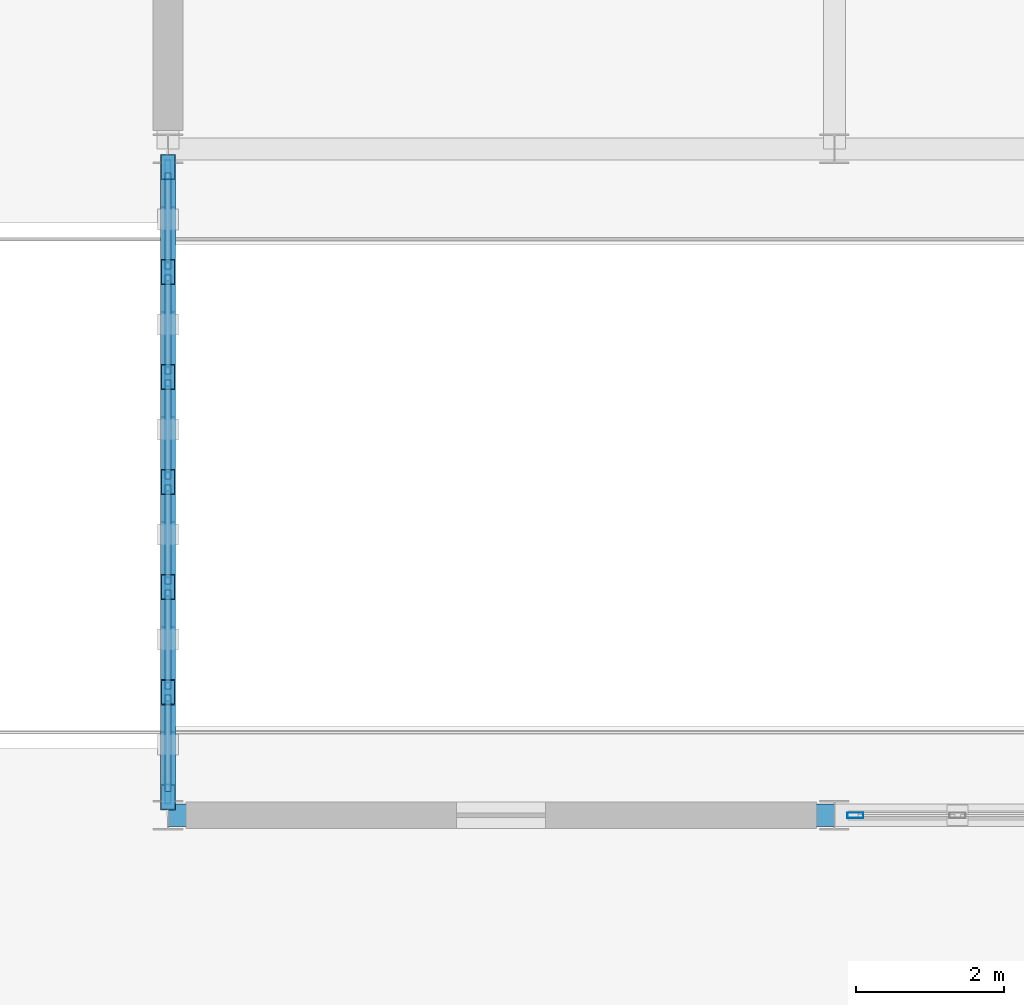
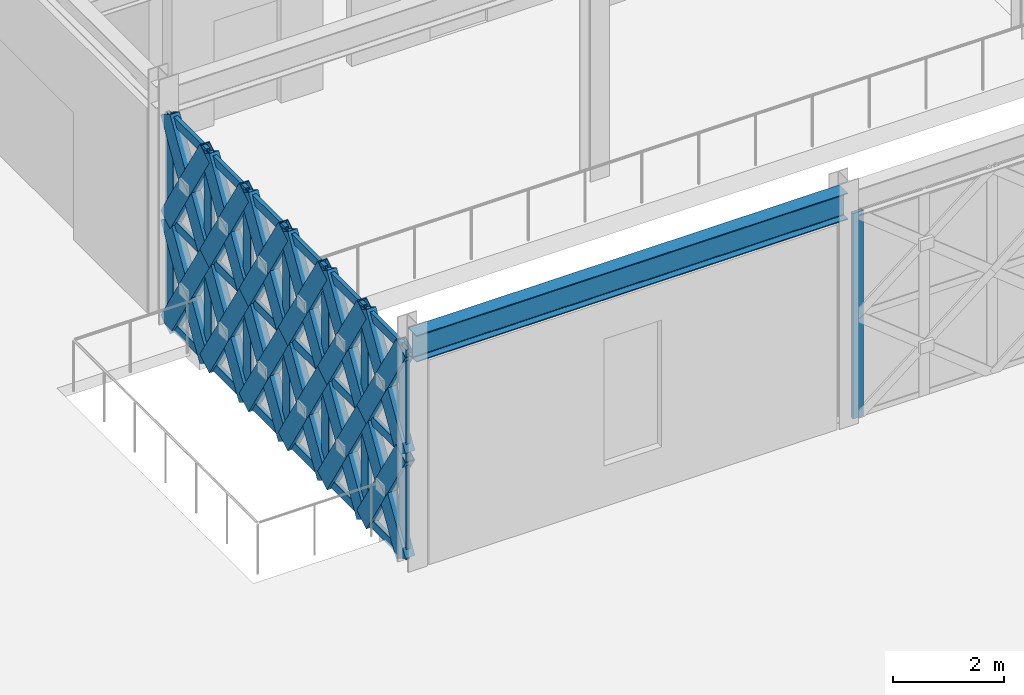
# One storey, part 61 of 140: 62 members, 1 beam, 2 elements without a shape of their own.
"""IFC4 building model written with IfcOpenShell, lengths in metres."""

from ifc_helpers import new_model, si_unit, direction, frame, origin, origin_2d, place, context, subcontext, project, spatial, hollow_rectangle, i_section, extrude, material, material_profile, profile_set, type_object, element, aggregate, save


model = new_model("IFC4")

# Units and contexts
model_context = context("Model", 3, precision=1e-05, world=origin(), true_north=direction((0.0, 1.0)))
body_context = subcontext(model_context, "Body", "Model", "MODEL_VIEW")
ifc_project = project(units=[si_unit("LENGTHUNIT", "METRE"), si_unit("AREAUNIT", "SQUARE_METRE"), si_unit("VOLUMEUNIT", "CUBIC_METRE"), si_unit("PLANEANGLEUNIT", "RADIAN"), si_unit("MASSUNIT", "GRAM", prefix="KILO")], contexts=[model_context])

# Site, building, storey
site_placement = place(None, origin())
site = spatial("IfcSite", under=ifc_project, at=site_placement, CompositionType="ELEMENT")
building_placement = place(site_placement, origin())
building = spatial("IfcBuilding", under=site, at=building_placement, Name="Haizhuo Lancet Aquarium", CompositionType="ELEMENT")
storey_placement = place(building_placement, origin())
storey = spatial("IfcBuildingStorey", under=building, at=storey_placement, Name="L00", CompositionType="ELEMENT", Elevation=0.0)

# Beam
ifc_material_1 = material(Name="Steel S355", Category="steel")
ifc_material_profile_1 = material_profile(ifc_material_1, i_section(OverallWidth=0.300048828125, OverallDepth=0.587890625, WebThickness=0.011962890625, FlangeThickness=0.02001953125, FilletRadius=0.02587890625, at=origin_2d()), Name="HM 588x300x12x20")
ifc_profile_set_1 = profile_set([ifc_material_profile_1], Name="Steel S355")
beam_type = type_object("IfcBeamType", Name="BM-ST-HM588", PredefinedType="BEAM", material=ifc_profile_set_1)
beam_placement = place(storey_placement, frame((36.0, 9.0, 4.825927734375), z_axis=(1.0, 0.0, 0.0), x_axis=(0.0, 1.0, 0.0)))
element("IfcBeam", 1, at=beam_placement, inside=storey, type_object=beam_type, Name="L00 V7 primary girder BM-L00-V7-001", PredefinedType="BEAM", context=body_context, shape_type="SweptSolid", body=[
    extrude(i_section(OverallWidth=0.300048828125, OverallDepth=0.587890625, WebThickness=0.011962890625, FlangeThickness=0.02001953125, FilletRadius=0.02587890625, at=origin_2d()), origin(), (0.0, 0.0, 1.0), 9.0),
])

# Curtain wall, member
ifc_material_2 = material(Name="Aluminium 6063-T6", Category="aluminium")
curtain_wall_type_1 = type_object("IfcCurtainWallType", Name="CWO-8510x4530", PredefinedType="NOTDEFINED", material=ifc_material_2)
curtain_wall_1_placement = place(storey_placement, origin())
curtain_wall_1 = element("IfcCurtainWall", 2, at=curtain_wall_1_placement, inside=storey, type_object=curtain_wall_type_1, Name="L00 curtain wall CW-V7-L00-281", PredefinedType="NOTDEFINED")
ifc_material_profile_2 = material_profile(ifc_material_2, hollow_rectangle(XDim=0.074951171875, YDim=0.219970703125, WallThickness=0.0048828125, at=origin_2d()), Name="ALU-M 75x220x5")
ifc_profile_set_2 = profile_set([ifc_material_profile_2], Name="Aluminium 6063-T6")
member_type_1 = type_object("IfcMemberType", Name="CW-MUL-2", PredefinedType="MULLION", material=ifc_profile_set_2)
member_1_placement = place(storey_placement, frame((45.281982421875, 9.0, 0.0), z_axis=(0.0, 0.0, 1.0), x_axis=(0.0, -1.0, 0.0)))
member_1 = element("IfcMember", 3, at=member_1_placement, type_object=member_type_1, Name="CWO-85x45 mullion 7", PredefinedType="MULLION", context=body_context, shape_type="SweptSolid", body=[
    extrude(hollow_rectangle(XDim=0.074951171875, YDim=0.219970703125, WallThickness=0.0048828125, at=origin_2d()), origin(), (0.0, 0.0, 1.0), 4.531982421875),
])
aggregate(curtain_wall_1, [member_1])

# Curtain wall, members
curtain_wall_type_2 = type_object("IfcCurtainWallType", Name="CWD-8510x4630", PredefinedType="NOTDEFINED", material=ifc_material_2)
curtain_wall_2_placement = place(storey_placement, origin())
curtain_wall_2 = element("IfcCurtainWall", 4, at=curtain_wall_2_placement, inside=storey, type_object=curtain_wall_type_2, Name="L00 curtain wall CW-V7-L00-282", PredefinedType="NOTDEFINED")
ifc_material_profile_3 = material_profile(ifc_material_2, hollow_rectangle(XDim=0.080078125, YDim=0.260009765625, WallThickness=0.0048828125, at=origin_2d()), Name="ALU-M 80x260x5")
ifc_profile_set_3 = profile_set([ifc_material_profile_3], Name="Aluminium 6063-T6")
member_type_2 = type_object("IfcMemberType", Name="CW-MUL-3", PredefinedType="MULLION", material=ifc_profile_set_3)
member_2_placement = place(storey_placement, frame((36.0, 9.284912109375, 0.0), z_axis=(0.0, 0.0, 1.0), x_axis=(-1.0, 0.0, 0.0)))
member_2 = element("IfcMember", 5, at=member_2_placement, type_object=member_type_2, Name="CWD-85x46 mullion 1", PredefinedType="MULLION", context=body_context, shape_type="SweptSolid", body=[
    extrude(hollow_rectangle(XDim=0.080078125, YDim=0.260009765625, WallThickness=0.0048828125, at=origin_2d()), origin(), (0.0, 0.0, 1.0), 4.632080078125),
])
member_3_placement = place(storey_placement, frame((36.0, 10.6630859375, 0.0), z_axis=(0.0, 0.0, 1.0), x_axis=(-1.0, 0.0, 0.0)))
member_3 = element("IfcMember", 6, at=member_3_placement, type_object=member_type_2, Name="CWD-85x46 mullion 2", PredefinedType="MULLION", context=body_context, shape_type="SweptSolid", body=[
    extrude(hollow_rectangle(XDim=0.080078125, YDim=0.260009765625, WallThickness=0.0048828125, at=origin_2d()), origin(), (0.0, 0.0, 1.0), 4.632080078125),
])
member_4_placement = place(storey_placement, frame((36.0, 12.08203125, 0.0), z_axis=(0.0, 0.0, 1.0), x_axis=(-1.0, 0.0, 0.0)))
member_4 = element("IfcMember", 7, at=member_4_placement, type_object=member_type_2, Name="CWD-85x46 mullion 3", PredefinedType="MULLION", context=body_context, shape_type="SweptSolid", body=[
    extrude(hollow_rectangle(XDim=0.080078125, YDim=0.260009765625, WallThickness=0.0048828125, at=origin_2d()), origin(), (0.0, 0.0, 1.0), 4.632080078125),
])
member_5_placement = place(storey_placement, frame((36.0, 13.5, 0.0), z_axis=(0.0, 0.0, 1.0), x_axis=(-1.0, 0.0, 0.0)))
member_5 = element("IfcMember", 8, at=member_5_placement, type_object=member_type_2, Name="CWD-85x46 mullion 4", PredefinedType="MULLION", context=body_context, shape_type="SweptSolid", body=[
    extrude(hollow_rectangle(XDim=0.080078125, YDim=0.260009765625, WallThickness=0.0048828125, at=origin_2d()), origin(), (0.0, 0.0, 1.0), 4.632080078125),
])
member_6_placement = place(storey_placement, frame((36.0, 14.91796875, 0.0), z_axis=(0.0, 0.0, 1.0), x_axis=(-1.0, 0.0, 0.0)))
member_6 = element("IfcMember", 9, at=member_6_placement, type_object=member_type_2, Name="CWD-85x46 mullion 5", PredefinedType="MULLION", context=body_context, shape_type="SweptSolid", body=[
    extrude(hollow_rectangle(XDim=0.080078125, YDim=0.260009765625, WallThickness=0.0048828125, at=origin_2d()), origin(), (0.0, 0.0, 1.0), 4.632080078125),
])
member_7_placement = place(storey_placement, frame((36.0, 16.3369140625, 0.0), z_axis=(0.0, 0.0, 1.0), x_axis=(-1.0, 0.0, 0.0)))
member_7 = element("IfcMember", 10, at=member_7_placement, type_object=member_type_2, Name="CWD-85x46 mullion 6", PredefinedType="MULLION", context=body_context, shape_type="SweptSolid", body=[
    extrude(hollow_rectangle(XDim=0.080078125, YDim=0.260009765625, WallThickness=0.0048828125, at=origin_2d()), origin(), (0.0, 0.0, 1.0), 4.632080078125),
])
member_8_placement = place(storey_placement, frame((36.0, 17.715087890625, 0.0), z_axis=(0.0, 0.0, 1.0), x_axis=(-1.0, 0.0, 0.0)))
member_8 = element("IfcMember", 11, at=member_8_placement, type_object=member_type_2, Name="CWD-85x46 mullion 7", PredefinedType="MULLION", context=body_context, shape_type="SweptSolid", body=[
    extrude(hollow_rectangle(XDim=0.080078125, YDim=0.260009765625, WallThickness=0.0048828125, at=origin_2d()), origin(), (0.0, 0.0, 1.0), 4.632080078125),
])
ifc_material_profile_4 = material_profile(ifc_material_2, hollow_rectangle(XDim=0.080078125, YDim=0.18994140625, WallThickness=0.0048828125, at=origin_2d()), Name="ALU-T 80x190x5")
ifc_profile_set_4 = profile_set([ifc_material_profile_4], Name="Aluminium 6063-T6")
member_type_3 = type_object("IfcMemberType", Name="CW-TRN-3", PredefinedType="NOTDEFINED", material=ifc_profile_set_4)
member_9_placement = place(storey_placement, frame((36.0, 9.324951171875, 0.0400390625), z_axis=(0.0, 1.0, 0.0), x_axis=(-1.0, 0.0, 0.0)))
member_9 = element("IfcMember", 12, at=member_9_placement, type_object=member_type_3, Name="CWD-85x46 transom 1.1", ObjectType="TRANSOM", PredefinedType="USERDEFINED", context=body_context, shape_type="SweptSolid", body=[
    extrude(hollow_rectangle(XDim=0.080078125, YDim=0.18994140625, WallThickness=0.0048828125, at=origin_2d()), origin(), (0.0, 0.0, 1.0), 1.298095703125),
])
member_10_placement = place(storey_placement, frame((36.0, 9.324951171875, 2.31591796875), z_axis=(0.0, 1.0, 0.0), x_axis=(-1.0, 0.0, 0.0)))
member_10 = element("IfcMember", 13, at=member_10_placement, type_object=member_type_3, Name="CWD-85x46 transom 1.2", ObjectType="TRANSOM", PredefinedType="USERDEFINED", context=body_context, shape_type="SweptSolid", body=[
    extrude(hollow_rectangle(XDim=0.080078125, YDim=0.18994140625, WallThickness=0.0048828125, at=origin_2d()), origin(), (0.0, 0.0, 1.0), 1.298095703125),
])
member_11_placement = place(storey_placement, frame((36.0, 9.324951171875, 4.592041015625), z_axis=(0.0, 1.0, 0.0), x_axis=(-1.0, 0.0, 0.0)))
member_11 = element("IfcMember", 14, at=member_11_placement, type_object=member_type_3, Name="CWD-85x46 transom 1.3", ObjectType="TRANSOM", PredefinedType="USERDEFINED", context=body_context, shape_type="SweptSolid", body=[
    extrude(hollow_rectangle(XDim=0.080078125, YDim=0.18994140625, WallThickness=0.0048828125, at=origin_2d()), origin(), (0.0, 0.0, 1.0), 1.298095703125),
])
member_12_placement = place(storey_placement, frame((36.0, 10.702880859375, 0.0400390625), z_axis=(0.0, 1.0, 0.0), x_axis=(-1.0, 0.0, 0.0)))
member_12 = element("IfcMember", 15, at=member_12_placement, type_object=member_type_3, Name="CWD-85x46 transom 2.1", ObjectType="TRANSOM", PredefinedType="USERDEFINED", context=body_context, shape_type="SweptSolid", body=[
    extrude(hollow_rectangle(XDim=0.080078125, YDim=0.18994140625, WallThickness=0.0048828125, at=origin_2d()), origin(), (0.0, 0.0, 1.0), 1.339111328125),
])
member_13_placement = place(storey_placement, frame((36.0, 10.702880859375, 2.31591796875), z_axis=(0.0, 1.0, 0.0), x_axis=(-1.0, 0.0, 0.0)))
member_13 = element("IfcMember", 16, at=member_13_placement, type_object=member_type_3, Name="CWD-85x46 transom 2.2", ObjectType="TRANSOM", PredefinedType="USERDEFINED", context=body_context, shape_type="SweptSolid", body=[
    extrude(hollow_rectangle(XDim=0.080078125, YDim=0.18994140625, WallThickness=0.0048828125, at=origin_2d()), origin(), (0.0, 0.0, 1.0), 1.339111328125),
])
member_14_placement = place(storey_placement, frame((36.0, 10.702880859375, 4.592041015625), z_axis=(0.0, 1.0, 0.0), x_axis=(-1.0, 0.0, 0.0)))
member_14 = element("IfcMember", 17, at=member_14_placement, type_object=member_type_3, Name="CWD-85x46 transom 2.3", ObjectType="TRANSOM", PredefinedType="USERDEFINED", context=body_context, shape_type="SweptSolid", body=[
    extrude(hollow_rectangle(XDim=0.080078125, YDim=0.18994140625, WallThickness=0.0048828125, at=origin_2d()), origin(), (0.0, 0.0, 1.0), 1.339111328125),
])
member_15_placement = place(storey_placement, frame((36.0, 12.1220703125, 0.0400390625), z_axis=(0.0, 1.0, 0.0), x_axis=(-1.0, 0.0, 0.0)))
member_15 = element("IfcMember", 18, at=member_15_placement, type_object=member_type_3, Name="CWD-85x46 transom 3.1", ObjectType="TRANSOM", PredefinedType="USERDEFINED", context=body_context, shape_type="SweptSolid", body=[
    extrude(hollow_rectangle(XDim=0.080078125, YDim=0.18994140625, WallThickness=0.0048828125, at=origin_2d()), origin(), (0.0, 0.0, 1.0), 1.337890625),
])
member_16_placement = place(storey_placement, frame((36.0, 12.1220703125, 2.31591796875), z_axis=(0.0, 1.0, 0.0), x_axis=(-1.0, 0.0, 0.0)))
member_16 = element("IfcMember", 19, at=member_16_placement, type_object=member_type_3, Name="CWD-85x46 transom 3.2", ObjectType="TRANSOM", PredefinedType="USERDEFINED", context=body_context, shape_type="SweptSolid", body=[
    extrude(hollow_rectangle(XDim=0.080078125, YDim=0.18994140625, WallThickness=0.0048828125, at=origin_2d()), origin(), (0.0, 0.0, 1.0), 1.337890625),
])
member_17_placement = place(storey_placement, frame((36.0, 12.1220703125, 4.592041015625), z_axis=(0.0, 1.0, 0.0), x_axis=(-1.0, 0.0, 0.0)))
member_17 = element("IfcMember", 20, at=member_17_placement, type_object=member_type_3, Name="CWD-85x46 transom 3.3", ObjectType="TRANSOM", PredefinedType="USERDEFINED", context=body_context, shape_type="SweptSolid", body=[
    extrude(hollow_rectangle(XDim=0.080078125, YDim=0.18994140625, WallThickness=0.0048828125, at=origin_2d()), origin(), (0.0, 0.0, 1.0), 1.337890625),
])
member_18_placement = place(storey_placement, frame((36.0, 13.5400390625, 0.0400390625), z_axis=(0.0, 1.0, 0.0), x_axis=(-1.0, 0.0, 0.0)))
member_18 = element("IfcMember", 21, at=member_18_placement, type_object=member_type_3, Name="CWD-85x46 transom 4.1", ObjectType="TRANSOM", PredefinedType="USERDEFINED", context=body_context, shape_type="SweptSolid", body=[
    extrude(hollow_rectangle(XDim=0.080078125, YDim=0.18994140625, WallThickness=0.0048828125, at=origin_2d()), origin(), (0.0, 0.0, 1.0), 1.337890625),
])
member_19_placement = place(storey_placement, frame((36.0, 13.5400390625, 2.31591796875), z_axis=(0.0, 1.0, 0.0), x_axis=(-1.0, 0.0, 0.0)))
member_19 = element("IfcMember", 22, at=member_19_placement, type_object=member_type_3, Name="CWD-85x46 transom 4.2", ObjectType="TRANSOM", PredefinedType="USERDEFINED", context=body_context, shape_type="SweptSolid", body=[
    extrude(hollow_rectangle(XDim=0.080078125, YDim=0.18994140625, WallThickness=0.0048828125, at=origin_2d()), origin(), (0.0, 0.0, 1.0), 1.337890625),
])
member_20_placement = place(storey_placement, frame((36.0, 13.5400390625, 4.592041015625), z_axis=(0.0, 1.0, 0.0), x_axis=(-1.0, 0.0, 0.0)))
member_20 = element("IfcMember", 23, at=member_20_placement, type_object=member_type_3, Name="CWD-85x46 transom 4.3", ObjectType="TRANSOM", PredefinedType="USERDEFINED", context=body_context, shape_type="SweptSolid", body=[
    extrude(hollow_rectangle(XDim=0.080078125, YDim=0.18994140625, WallThickness=0.0048828125, at=origin_2d()), origin(), (0.0, 0.0, 1.0), 1.337890625),
])
member_21_placement = place(storey_placement, frame((36.0, 14.9580078125, 0.0400390625), z_axis=(0.0, 1.0, 0.0), x_axis=(-1.0, 0.0, 0.0)))
member_21 = element("IfcMember", 24, at=member_21_placement, type_object=member_type_3, Name="CWD-85x46 transom 5.1", ObjectType="TRANSOM", PredefinedType="USERDEFINED", context=body_context, shape_type="SweptSolid", body=[
    extrude(hollow_rectangle(XDim=0.080078125, YDim=0.18994140625, WallThickness=0.0048828125, at=origin_2d()), origin(), (0.0, 0.0, 1.0), 1.339111328125),
])
member_22_placement = place(storey_placement, frame((36.0, 14.9580078125, 2.31591796875), z_axis=(0.0, 1.0, 0.0), x_axis=(-1.0, 0.0, 0.0)))
member_22 = element("IfcMember", 25, at=member_22_placement, type_object=member_type_3, Name="CWD-85x46 transom 5.2", ObjectType="TRANSOM", PredefinedType="USERDEFINED", context=body_context, shape_type="SweptSolid", body=[
    extrude(hollow_rectangle(XDim=0.080078125, YDim=0.18994140625, WallThickness=0.0048828125, at=origin_2d()), origin(), (0.0, 0.0, 1.0), 1.339111328125),
])
member_23_placement = place(storey_placement, frame((36.0, 14.9580078125, 4.592041015625), z_axis=(0.0, 1.0, 0.0), x_axis=(-1.0, 0.0, 0.0)))
member_23 = element("IfcMember", 26, at=member_23_placement, type_object=member_type_3, Name="CWD-85x46 transom 5.3", ObjectType="TRANSOM", PredefinedType="USERDEFINED", context=body_context, shape_type="SweptSolid", body=[
    extrude(hollow_rectangle(XDim=0.080078125, YDim=0.18994140625, WallThickness=0.0048828125, at=origin_2d()), origin(), (0.0, 0.0, 1.0), 1.339111328125),
])
member_24_placement = place(storey_placement, frame((36.0, 16.376953125, 0.0400390625), z_axis=(0.0, 1.0, 0.0), x_axis=(-1.0, 0.0, 0.0)))
member_24 = element("IfcMember", 27, at=member_24_placement, type_object=member_type_3, Name="CWD-85x46 transom 6.1", ObjectType="TRANSOM", PredefinedType="USERDEFINED", context=body_context, shape_type="SweptSolid", body=[
    extrude(hollow_rectangle(XDim=0.080078125, YDim=0.18994140625, WallThickness=0.0048828125, at=origin_2d()), origin(), (0.0, 0.0, 1.0), 1.298095703125),
])
member_25_placement = place(storey_placement, frame((36.0, 16.376953125, 2.31591796875), z_axis=(0.0, 1.0, 0.0), x_axis=(-1.0, 0.0, 0.0)))
member_25 = element("IfcMember", 28, at=member_25_placement, type_object=member_type_3, Name="CWD-85x46 transom 6.2", ObjectType="TRANSOM", PredefinedType="USERDEFINED", context=body_context, shape_type="SweptSolid", body=[
    extrude(hollow_rectangle(XDim=0.080078125, YDim=0.18994140625, WallThickness=0.0048828125, at=origin_2d()), origin(), (0.0, 0.0, 1.0), 1.298095703125),
])
member_26_placement = place(storey_placement, frame((36.0, 16.376953125, 4.592041015625), z_axis=(0.0, 1.0, 0.0), x_axis=(-1.0, 0.0, 0.0)))
member_26 = element("IfcMember", 29, at=member_26_placement, type_object=member_type_3, Name="CWD-85x46 transom 6.3", ObjectType="TRANSOM", PredefinedType="USERDEFINED", context=body_context, shape_type="SweptSolid", body=[
    extrude(hollow_rectangle(XDim=0.080078125, YDim=0.18994140625, WallThickness=0.0048828125, at=origin_2d()), origin(), (0.0, 0.0, 1.0), 1.298095703125),
])
aggregate(curtain_wall_2, [member_2, member_3, member_4, member_5, member_6, member_7, member_8, member_9, member_10, member_11, member_12, member_13, member_14, member_15, member_16, member_17, member_18, member_19, member_20, member_21, member_22, member_23, member_24, member_25, member_26])

# Members
ifc_material_profile_5 = material_profile(ifc_material_1, hollow_rectangle(XDim=0.199951171875, YDim=0.39990234375, WallThickness=0.011962890625, at=origin_2d()), Name="RHS 200x400x12")
ifc_profile_set_5 = profile_set([ifc_material_profile_5], Name="Steel S355")
member_type_4 = type_object("IfcMemberType", Name="MEM-LB-RHS200x400", PredefinedType="BRACE", material=ifc_profile_set_5)
member_27_placement = place(storey_placement, frame((36.0, 9.2451171875, 0.0), z_axis=(0.0, 0.52216987418, 0.852841499048), x_axis=(-1.0, 0.0, 0.0)))
element("IfcMember", 30, at=member_27_placement, inside=storey, type_object=member_type_4, Name="Gothic lancet continuous diagonal brace CW-V7-L00-282 1A", PredefinedType="BRACE", context=body_context, shape_type="SweptSolid", body=[
    extrude(hollow_rectangle(XDim=0.199951171875, YDim=0.39990234375, WallThickness=0.011962890625, at=origin_2d()), origin(), (0.0, 0.0, 1.0), 2.715576171875),
])
for number, where, z_axis, x_axis, name in (
    (31, (36.0, 10.6630859375, 0.0), (0.0, -0.52216987418, 0.852841499048), (1.0, 0.0, 0.0), "Gothic lancet split diagonal brace CW-V7-L00-282 1B1"),
    (32, (36.0, 9.9541015625, 1.157958984375), (0.0, -0.52216987418, 0.852841499048), (1.0, 0.0, 0.0), "Gothic lancet split diagonal brace CW-V7-L00-282 1B2"),
):
    element("IfcMember", number, at=place(storey_placement, frame(where, z_axis=z_axis, x_axis=x_axis)), inside=storey, type_object=member_type_4, Name=name, PredefinedType="BRACE", context=body_context, shape_type="SweptSolid", body=[
        extrude(hollow_rectangle(XDim=0.199951171875, YDim=0.39990234375, WallThickness=0.011962890625, at=origin_2d()), origin(), (0.0, 0.0, 1.0), 1.357666015625),
    ])
member_28_placement = place(storey_placement, frame((36.0, 9.2451171875, 2.31591796875), z_axis=(0.0, 0.522129839323, 0.852866009927), x_axis=(-1.0, 0.0, 0.0)))
element("IfcMember", 33, at=member_28_placement, inside=storey, type_object=member_type_4, Name="Gothic lancet continuous diagonal brace CW-V7-L00-282 2A", PredefinedType="BRACE", context=body_context, shape_type="SweptSolid", body=[
    extrude(hollow_rectangle(XDim=0.199951171875, YDim=0.39990234375, WallThickness=0.011962890625, at=origin_2d()), origin(), (0.0, 0.0, 1.0), 2.7158203125),
])
member_29_placement = place(storey_placement, frame((36.0, 10.6630859375, 2.31591796875), z_axis=(0.0, -0.522089809454, 0.852890515168), x_axis=(1.0, 0.0, 0.0)))
element("IfcMember", 34, at=member_29_placement, inside=storey, type_object=member_type_4, Name="Gothic lancet split diagonal brace CW-V7-L00-282 2B1", PredefinedType="BRACE", context=body_context, shape_type="SweptSolid", body=[
    extrude(hollow_rectangle(XDim=0.199951171875, YDim=0.39990234375, WallThickness=0.011962890625, at=origin_2d()), origin(), (0.0, 0.0, 1.0), 1.35791015625),
])
member_30_placement = place(storey_placement, frame((36.0, 9.9541015625, 3.47412109375), z_axis=(0.0, -0.52216987418, 0.852841499048), x_axis=(1.0, 0.0, 0.0)))
element("IfcMember", 35, at=member_30_placement, inside=storey, type_object=member_type_4, Name="Gothic lancet split diagonal brace CW-V7-L00-282 2B2", PredefinedType="BRACE", context=body_context, shape_type="SweptSolid", body=[
    extrude(hollow_rectangle(XDim=0.199951171875, YDim=0.39990234375, WallThickness=0.011962890625, at=origin_2d()), origin(), (0.0, 0.0, 1.0), 1.357666015625),
])
member_31_placement = place(storey_placement, frame((36.0, 10.6630859375, 0.0), z_axis=(0.0, 0.522431366844, 0.852681339621), x_axis=(-1.0, 0.0, 0.0)))
element("IfcMember", 36, at=member_31_placement, inside=storey, type_object=member_type_4, Name="Gothic lancet continuous diagonal brace CW-V7-L00-282 3A", PredefinedType="BRACE", context=body_context, shape_type="SweptSolid", body=[
    extrude(hollow_rectangle(XDim=0.199951171875, YDim=0.39990234375, WallThickness=0.011962890625, at=origin_2d()), origin(), (0.0, 0.0, 1.0), 2.716064453125),
])
member_32_placement = place(storey_placement, frame((36.0, 12.08203125, 0.0), z_axis=(0.0, -0.52216987418, 0.852841499048), x_axis=(1.0, 0.0, 0.0)))
element("IfcMember", 37, at=member_32_placement, inside=storey, type_object=member_type_4, Name="Gothic lancet split diagonal brace CW-V7-L00-282 3B1", PredefinedType="BRACE", context=body_context, shape_type="SweptSolid", body=[
    extrude(hollow_rectangle(XDim=0.199951171875, YDim=0.39990234375, WallThickness=0.011962890625, at=origin_2d()), origin(), (0.0, 0.0, 1.0), 1.357666015625),
])
member_33_placement = place(storey_placement, frame((36.0, 11.373046875, 1.157958984375), z_axis=(0.0, -0.522692712191, 0.85252116022), x_axis=(1.0, 0.0, 0.0)))
element("IfcMember", 38, at=member_33_placement, inside=storey, type_object=member_type_4, Name="Gothic lancet split diagonal brace CW-V7-L00-282 3B2", PredefinedType="BRACE", context=body_context, shape_type="SweptSolid", body=[
    extrude(hollow_rectangle(XDim=0.199951171875, YDim=0.39990234375, WallThickness=0.011962890625, at=origin_2d()), origin(), (0.0, 0.0, 1.0), 1.358154296875),
])
member_34_placement = place(storey_placement, frame((36.0, 10.6630859375, 2.31591796875), z_axis=(0.0, 0.522391326979, 0.852705870449), x_axis=(-1.0, 0.0, 0.0)))
element("IfcMember", 39, at=member_34_placement, inside=storey, type_object=member_type_4, Name="Gothic lancet continuous diagonal brace CW-V7-L00-282 4A", PredefinedType="BRACE", context=body_context, shape_type="SweptSolid", body=[
    extrude(hollow_rectangle(XDim=0.199951171875, YDim=0.39990234375, WallThickness=0.011962890625, at=origin_2d()), origin(), (0.0, 0.0, 1.0), 2.71630859375),
])
member_35_placement = place(storey_placement, frame((36.0, 12.08203125, 2.31591796875), z_axis=(0.0, -0.522089809454, 0.852890515168), x_axis=(1.0, 0.0, 0.0)))
element("IfcMember", 40, at=member_35_placement, inside=storey, type_object=member_type_4, Name="Gothic lancet split diagonal brace CW-V7-L00-282 4B1", PredefinedType="BRACE", context=body_context, shape_type="SweptSolid", body=[
    extrude(hollow_rectangle(XDim=0.199951171875, YDim=0.39990234375, WallThickness=0.011962890625, at=origin_2d()), origin(), (0.0, 0.0, 1.0), 1.35791015625),
])
member_36_placement = place(storey_placement, frame((36.0, 11.373046875, 3.47412109375), z_axis=(0.0, -0.522692712191, 0.85252116022), x_axis=(1.0, 0.0, 0.0)))
element("IfcMember", 41, at=member_36_placement, inside=storey, type_object=member_type_4, Name="Gothic lancet split diagonal brace CW-V7-L00-282 4B2", PredefinedType="BRACE", context=body_context, shape_type="SweptSolid", body=[
    extrude(hollow_rectangle(XDim=0.199951171875, YDim=0.39990234375, WallThickness=0.011962890625, at=origin_2d()), origin(), (0.0, 0.0, 1.0), 1.358154296875),
])
member_37_placement = place(storey_placement, frame((36.0, 12.08203125, 0.0), z_axis=(0.0, 0.52216987418, 0.852841499048), x_axis=(-1.0, 0.0, 0.0)))
element("IfcMember", 42, at=member_37_placement, inside=storey, type_object=member_type_4, Name="Gothic lancet continuous diagonal brace CW-V7-L00-282 5A", PredefinedType="BRACE", context=body_context, shape_type="SweptSolid", body=[
    extrude(hollow_rectangle(XDim=0.199951171875, YDim=0.39990234375, WallThickness=0.011962890625, at=origin_2d()), origin(), (0.0, 0.0, 1.0), 2.715576171875),
])
for number, where, z_axis, x_axis, name in (
    (43, (36.0, 13.5, 0.0), (0.0, -0.52216987418, 0.852841499048), (1.0, 0.0, 0.0), "Gothic lancet split diagonal brace CW-V7-L00-282 5B1"),
    (44, (36.0, 12.791015625, 1.157958984375), (0.0, -0.52216987418, 0.852841499048), (1.0, 0.0, 0.0), "Gothic lancet split diagonal brace CW-V7-L00-282 5B2"),
):
    element("IfcMember", number, at=place(storey_placement, frame(where, z_axis=z_axis, x_axis=x_axis)), inside=storey, type_object=member_type_4, Name=name, PredefinedType="BRACE", context=body_context, shape_type="SweptSolid", body=[
        extrude(hollow_rectangle(XDim=0.199951171875, YDim=0.39990234375, WallThickness=0.011962890625, at=origin_2d()), origin(), (0.0, 0.0, 1.0), 1.357666015625),
    ])
member_38_placement = place(storey_placement, frame((36.0, 12.08203125, 2.31591796875), z_axis=(0.0, 0.522129839323, 0.852866009927), x_axis=(-1.0, 0.0, 0.0)))
element("IfcMember", 45, at=member_38_placement, inside=storey, type_object=member_type_4, Name="Gothic lancet continuous diagonal brace CW-V7-L00-282 6A", PredefinedType="BRACE", context=body_context, shape_type="SweptSolid", body=[
    extrude(hollow_rectangle(XDim=0.199951171875, YDim=0.39990234375, WallThickness=0.011962890625, at=origin_2d()), origin(), (0.0, 0.0, 1.0), 2.7158203125),
])
member_39_placement = place(storey_placement, frame((36.0, 13.5, 2.31591796875), z_axis=(0.0, -0.522089809454, 0.852890515168), x_axis=(1.0, 0.0, 0.0)))
element("IfcMember", 46, at=member_39_placement, inside=storey, type_object=member_type_4, Name="Gothic lancet split diagonal brace CW-V7-L00-282 6B1", PredefinedType="BRACE", context=body_context, shape_type="SweptSolid", body=[
    extrude(hollow_rectangle(XDim=0.199951171875, YDim=0.39990234375, WallThickness=0.011962890625, at=origin_2d()), origin(), (0.0, 0.0, 1.0), 1.35791015625),
])
member_40_placement = place(storey_placement, frame((36.0, 12.791015625, 3.47412109375), z_axis=(0.0, -0.52216987418, 0.852841499048), x_axis=(1.0, 0.0, 0.0)))
element("IfcMember", 47, at=member_40_placement, inside=storey, type_object=member_type_4, Name="Gothic lancet split diagonal brace CW-V7-L00-282 6B2", PredefinedType="BRACE", context=body_context, shape_type="SweptSolid", body=[
    extrude(hollow_rectangle(XDim=0.199951171875, YDim=0.39990234375, WallThickness=0.011962890625, at=origin_2d()), origin(), (0.0, 0.0, 1.0), 1.357666015625),
])
member_41_placement = place(storey_placement, frame((36.0, 13.5, 0.0), z_axis=(0.0, 0.52216987418, 0.852841499048), x_axis=(-1.0, 0.0, 0.0)))
element("IfcMember", 48, at=member_41_placement, inside=storey, type_object=member_type_4, Name="Gothic lancet continuous diagonal brace CW-V7-L00-282 7A", PredefinedType="BRACE", context=body_context, shape_type="SweptSolid", body=[
    extrude(hollow_rectangle(XDim=0.199951171875, YDim=0.39990234375, WallThickness=0.011962890625, at=origin_2d()), origin(), (0.0, 0.0, 1.0), 2.715576171875),
])
for number, where, z_axis, x_axis, name in (
    (49, (36.0, 14.91796875, 0.0), (0.0, -0.52216987418, 0.852841499048), (1.0, 0.0, 0.0), "Gothic lancet split diagonal brace CW-V7-L00-282 7B1"),
    (50, (36.0, 14.208984375, 1.157958984375), (0.0, -0.52216987418, 0.852841499048), (1.0, 0.0, 0.0), "Gothic lancet split diagonal brace CW-V7-L00-282 7B2"),
):
    element("IfcMember", number, at=place(storey_placement, frame(where, z_axis=z_axis, x_axis=x_axis)), inside=storey, type_object=member_type_4, Name=name, PredefinedType="BRACE", context=body_context, shape_type="SweptSolid", body=[
        extrude(hollow_rectangle(XDim=0.199951171875, YDim=0.39990234375, WallThickness=0.011962890625, at=origin_2d()), origin(), (0.0, 0.0, 1.0), 1.357666015625),
    ])
member_42_placement = place(storey_placement, frame((36.0, 13.5, 2.31591796875), z_axis=(0.0, 0.522129839323, 0.852866009927), x_axis=(-1.0, 0.0, 0.0)))
element("IfcMember", 51, at=member_42_placement, inside=storey, type_object=member_type_4, Name="Gothic lancet continuous diagonal brace CW-V7-L00-282 8A", PredefinedType="BRACE", context=body_context, shape_type="SweptSolid", body=[
    extrude(hollow_rectangle(XDim=0.199951171875, YDim=0.39990234375, WallThickness=0.011962890625, at=origin_2d()), origin(), (0.0, 0.0, 1.0), 2.7158203125),
])
member_43_placement = place(storey_placement, frame((36.0, 14.91796875, 2.31591796875), z_axis=(0.0, -0.522089809454, 0.852890515168), x_axis=(1.0, 0.0, 0.0)))
element("IfcMember", 52, at=member_43_placement, inside=storey, type_object=member_type_4, Name="Gothic lancet split diagonal brace CW-V7-L00-282 8B1", PredefinedType="BRACE", context=body_context, shape_type="SweptSolid", body=[
    extrude(hollow_rectangle(XDim=0.199951171875, YDim=0.39990234375, WallThickness=0.011962890625, at=origin_2d()), origin(), (0.0, 0.0, 1.0), 1.35791015625),
])
member_44_placement = place(storey_placement, frame((36.0, 14.208984375, 3.47412109375), z_axis=(0.0, -0.52216987418, 0.852841499048), x_axis=(1.0, 0.0, 0.0)))
element("IfcMember", 53, at=member_44_placement, inside=storey, type_object=member_type_4, Name="Gothic lancet split diagonal brace CW-V7-L00-282 8B2", PredefinedType="BRACE", context=body_context, shape_type="SweptSolid", body=[
    extrude(hollow_rectangle(XDim=0.199951171875, YDim=0.39990234375, WallThickness=0.011962890625, at=origin_2d()), origin(), (0.0, 0.0, 1.0), 1.357666015625),
])
member_45_placement = place(storey_placement, frame((36.0, 14.91796875, 0.0), z_axis=(0.0, 0.522431366844, 0.852681339621), x_axis=(-1.0, 0.0, 0.0)))
element("IfcMember", 54, at=member_45_placement, inside=storey, type_object=member_type_4, Name="Gothic lancet continuous diagonal brace CW-V7-L00-282 9A", PredefinedType="BRACE", context=body_context, shape_type="SweptSolid", body=[
    extrude(hollow_rectangle(XDim=0.199951171875, YDim=0.39990234375, WallThickness=0.011962890625, at=origin_2d()), origin(), (0.0, 0.0, 1.0), 2.716064453125),
])
member_46_placement = place(storey_placement, frame((36.0, 16.3369140625, 0.0), z_axis=(0.0, -0.522692712191, 0.85252116022), x_axis=(1.0, 0.0, 0.0)))
element("IfcMember", 55, at=member_46_placement, inside=storey, type_object=member_type_4, Name="Gothic lancet split diagonal brace CW-V7-L00-282 9B1", PredefinedType="BRACE", context=body_context, shape_type="SweptSolid", body=[
    extrude(hollow_rectangle(XDim=0.199951171875, YDim=0.39990234375, WallThickness=0.011962890625, at=origin_2d()), origin(), (0.0, 0.0, 1.0), 1.358154296875),
])
member_47_placement = place(storey_placement, frame((36.0, 15.626953125, 1.157958984375), z_axis=(0.0, -0.52216987418, 0.852841499048), x_axis=(1.0, 0.0, 0.0)))
element("IfcMember", 56, at=member_47_placement, inside=storey, type_object=member_type_4, Name="Gothic lancet split diagonal brace CW-V7-L00-282 9B2", PredefinedType="BRACE", context=body_context, shape_type="SweptSolid", body=[
    extrude(hollow_rectangle(XDim=0.199951171875, YDim=0.39990234375, WallThickness=0.011962890625, at=origin_2d()), origin(), (0.0, 0.0, 1.0), 1.357666015625),
])
member_48_placement = place(storey_placement, frame((36.0, 14.91796875, 2.31591796875), z_axis=(0.0, 0.522391326979, 0.852705870449), x_axis=(-1.0, 0.0, 0.0)))
element("IfcMember", 57, at=member_48_placement, inside=storey, type_object=member_type_4, Name="Gothic lancet continuous diagonal brace CW-V7-L00-282 10A", PredefinedType="BRACE", context=body_context, shape_type="SweptSolid", body=[
    extrude(hollow_rectangle(XDim=0.199951171875, YDim=0.39990234375, WallThickness=0.011962890625, at=origin_2d()), origin(), (0.0, 0.0, 1.0), 2.71630859375),
])
member_49_placement = place(storey_placement, frame((36.0, 16.3369140625, 2.31591796875), z_axis=(0.0, -0.522612627479, 0.852570256108), x_axis=(1.0, 0.0, 0.0)))
element("IfcMember", 58, at=member_49_placement, inside=storey, type_object=member_type_4, Name="Gothic lancet split diagonal brace CW-V7-L00-282 10B1", PredefinedType="BRACE", context=body_context, shape_type="SweptSolid", body=[
    extrude(hollow_rectangle(XDim=0.199951171875, YDim=0.39990234375, WallThickness=0.011962890625, at=origin_2d()), origin(), (0.0, 0.0, 1.0), 1.3583984375),
])
member_50_placement = place(storey_placement, frame((36.0, 15.626953125, 3.47412109375), z_axis=(0.0, -0.52216987418, 0.852841499048), x_axis=(1.0, 0.0, 0.0)))
element("IfcMember", 59, at=member_50_placement, inside=storey, type_object=member_type_4, Name="Gothic lancet split diagonal brace CW-V7-L00-282 10B2", PredefinedType="BRACE", context=body_context, shape_type="SweptSolid", body=[
    extrude(hollow_rectangle(XDim=0.199951171875, YDim=0.39990234375, WallThickness=0.011962890625, at=origin_2d()), origin(), (0.0, 0.0, 1.0), 1.357666015625),
])
member_51_placement = place(storey_placement, frame((36.0, 16.3369140625, 0.0), z_axis=(0.0, 0.52216987418, 0.852841499048), x_axis=(-1.0, 0.0, 0.0)))
element("IfcMember", 60, at=member_51_placement, inside=storey, type_object=member_type_4, Name="Gothic lancet continuous diagonal brace CW-V7-L00-282 11A", PredefinedType="BRACE", context=body_context, shape_type="SweptSolid", body=[
    extrude(hollow_rectangle(XDim=0.199951171875, YDim=0.39990234375, WallThickness=0.011962890625, at=origin_2d()), origin(), (0.0, 0.0, 1.0), 2.715576171875),
])
for number, where, z_axis, x_axis, name in (
    (61, (36.0, 17.7548828125, 0.0), (0.0, -0.52216987418, 0.852841499048), (1.0, 0.0, 0.0), "Gothic lancet split diagonal brace CW-V7-L00-282 11B1"),
    (62, (36.0, 17.0458984375, 1.157958984375), (0.0, -0.52216987418, 0.852841499048), (1.0, 0.0, 0.0), "Gothic lancet split diagonal brace CW-V7-L00-282 11B2"),
):
    element("IfcMember", number, at=place(storey_placement, frame(where, z_axis=z_axis, x_axis=x_axis)), inside=storey, type_object=member_type_4, Name=name, PredefinedType="BRACE", context=body_context, shape_type="SweptSolid", body=[
        extrude(hollow_rectangle(XDim=0.199951171875, YDim=0.39990234375, WallThickness=0.011962890625, at=origin_2d()), origin(), (0.0, 0.0, 1.0), 1.357666015625),
    ])
member_52_placement = place(storey_placement, frame((36.0, 16.3369140625, 2.31591796875), z_axis=(0.0, 0.522129839323, 0.852866009927), x_axis=(-1.0, 0.0, 0.0)))
element("IfcMember", 63, at=member_52_placement, inside=storey, type_object=member_type_4, Name="Gothic lancet continuous diagonal brace CW-V7-L00-282 12A", PredefinedType="BRACE", context=body_context, shape_type="SweptSolid", body=[
    extrude(hollow_rectangle(XDim=0.199951171875, YDim=0.39990234375, WallThickness=0.011962890625, at=origin_2d()), origin(), (0.0, 0.0, 1.0), 2.7158203125),
])
member_53_placement = place(storey_placement, frame((36.0, 17.7548828125, 2.31591796875), z_axis=(0.0, -0.522089809454, 0.852890515168), x_axis=(1.0, 0.0, 0.0)))
element("IfcMember", 64, at=member_53_placement, inside=storey, type_object=member_type_4, Name="Gothic lancet split diagonal brace CW-V7-L00-282 12B1", PredefinedType="BRACE", context=body_context, shape_type="SweptSolid", body=[
    extrude(hollow_rectangle(XDim=0.199951171875, YDim=0.39990234375, WallThickness=0.011962890625, at=origin_2d()), origin(), (0.0, 0.0, 1.0), 1.35791015625),
])
member_54_placement = place(storey_placement, frame((36.0, 17.0458984375, 3.47412109375), z_axis=(0.0, -0.52216987418, 0.852841499048), x_axis=(1.0, 0.0, 0.0)))
element("IfcMember", 65, at=member_54_placement, inside=storey, type_object=member_type_4, Name="Gothic lancet split diagonal brace CW-V7-L00-282 12B2", PredefinedType="BRACE", context=body_context, shape_type="SweptSolid", body=[
    extrude(hollow_rectangle(XDim=0.199951171875, YDim=0.39990234375, WallThickness=0.011962890625, at=origin_2d()), origin(), (0.0, 0.0, 1.0), 1.357666015625),
])

save(model, "model.ifc")
